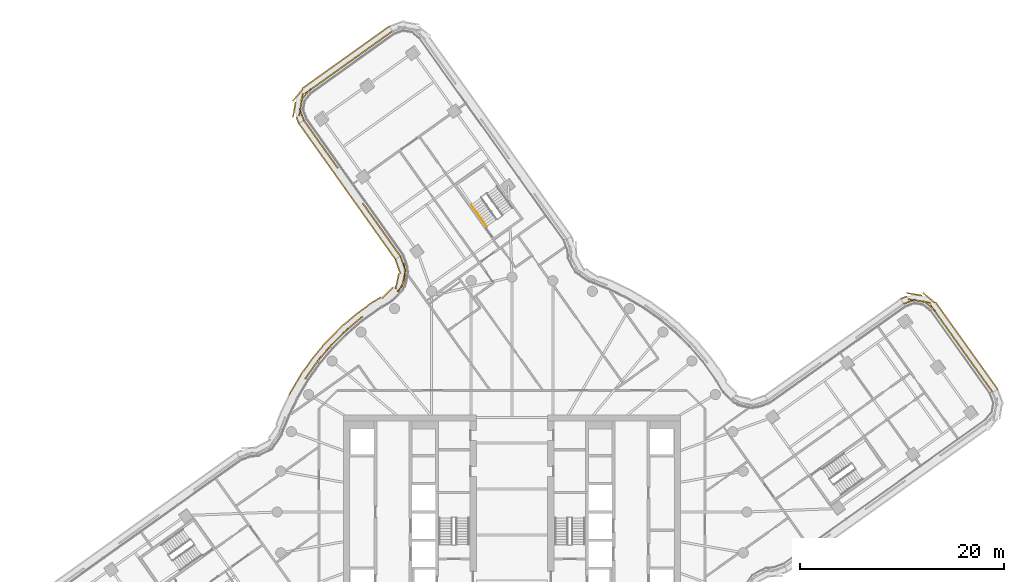
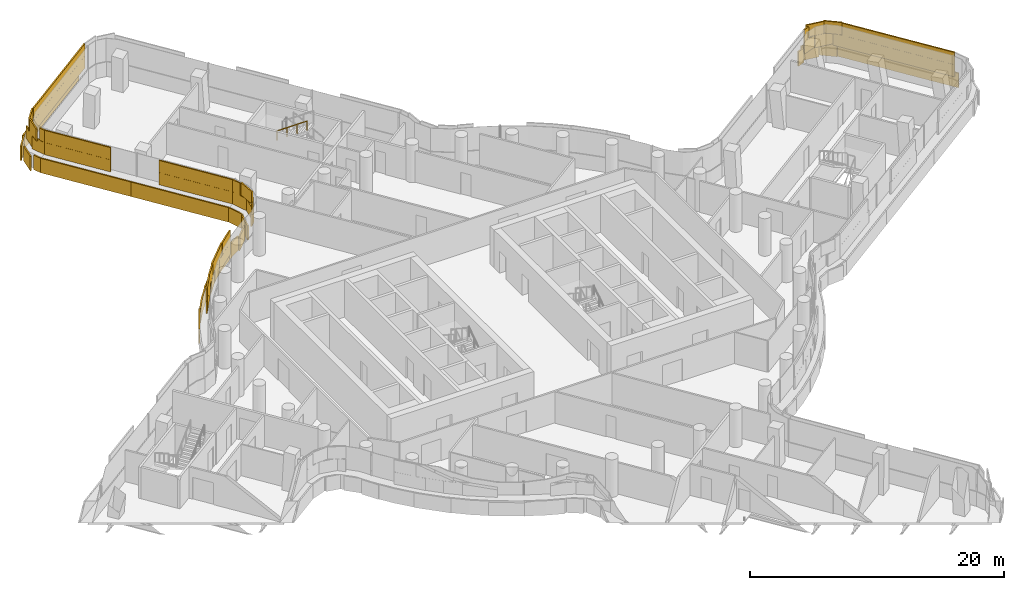
# One storey, part 30 of 31: 5 coverings, 1 railing.
"""IFC4 building model written with IfcOpenShell, lengths in metres."""

from ifc_helpers import new_model, si_unit, direction, frame, origin, origin_2d, place, context, subcontext, project, spatial, rectangle, circle, extrude, material, layer, layer_set, type_object, element, save


model = new_model("IFC4")

# Units and contexts
model_context = context("Model", 3, precision=1e-05, world=origin(), true_north=direction((0.0, 1.0)))
body_context = subcontext(model_context, "Body", "Model", "MODEL_VIEW")
ifc_project = project(units=[si_unit("LENGTHUNIT", "METRE"), si_unit("AREAUNIT", "SQUARE_METRE"), si_unit("VOLUMEUNIT", "CUBIC_METRE"), si_unit("PLANEANGLEUNIT", "RADIAN"), si_unit("MASSUNIT", "GRAM", prefix="KILO")], contexts=[model_context])

# Site, building, storey
site_placement = place(None, origin())
site = spatial("IfcSite", under=ifc_project, at=site_placement, CompositionType="ELEMENT")
building_placement = place(site_placement, origin())
building = spatial("IfcBuilding", under=site, at=building_placement, Name="Tamarind Cross Interchange Tower", CompositionType="ELEMENT")
storey_placement = place(building_placement, frame((0.0, 0.0, 163.0)))
storey = spatial("IfcBuildingStorey", under=building, at=storey_placement, Name="L40", CompositionType="ELEMENT", Elevation=163.0)

# Railing
ifc_material_1 = material(Name="Stair handrail")
railing_type = type_object("IfcRailingType", Name="Stair handrail", PredefinedType="HANDRAIL", material=ifc_material_1)
railing_placement = place(storey_placement, frame((-3.990966796875, 30.0859375, 2.04541015625)))
element("IfcRailing", 1, at=railing_placement, inside=storey, type_object=railing_type, Name="L40 ST4 stair handrail 2", PredefinedType="HANDRAIL", context=body_context, shape_type="SweptSolid", body=[
    extrude(circle(Radius=0.02392578125, at=origin_2d()), frame((0.0, 0.0, 0.8759765625), z_axis=(0.485880456641, -0.680641008196, 0.548313778612), x_axis=(0.813898411492, 0.581007208019, 0.0)), (0.0, 0.0, 1.0), 3.10888671875),
    extrude(circle(Radius=0.02099609375, at=origin_2d()), origin(), (0.0, 0.0, 1.0), 0.851806640625),
    extrude(circle(Radius=0.02099609375, at=origin_2d()), frame((0.50341796875, -0.705322265625, 0.568115234375)), (0.0, 0.0, 1.0), 0.851806640625),
    extrude(circle(Radius=0.02099609375, at=origin_2d()), frame((1.007080078125, -1.41064453125, 1.136474609375)), (0.0, 0.0, 1.0), 0.851806640625),
    extrude(circle(Radius=0.02099609375, at=origin_2d()), frame((1.510498046875, -2.115966796875, 1.70458984375)), (0.0, 0.0, 1.0), 0.851806640625),
])

# Coverings
ifc_material_2 = material(Name="Terracotta", Category="masonry")
ifc_layer = layer(ifc_material_2, 0.1201171875)
ifc_layer_set = layer_set([ifc_layer], Name="Terracotta")
covering_type = type_object("IfcCoveringType", Name="Terracotta baguette screen unit", PredefinedType="MOLDING", material=ifc_layer_set)
covering_1_placement = place(storey_placement, origin())
element("IfcCovering", 2, at=covering_1_placement, inside=storey, type_object=covering_type, Name="SCR-L40-04-00", PredefinedType="MOLDING", context=body_context, shape_type="SweptSolid", body=[
    extrude(rectangle(XDim=1.510009765625, YDim=0.1201171875, at=origin_2d()), frame((46.62744140625, 12.34521484375, 1.404052734375), z_axis=(0.0, 0.0, 1.0), x_axis=(-0.581032556811, 0.81388031548, 0.0)), (0.0, 0.0, 1.0), 1.1669921875),
    extrude(rectangle(XDim=1.52001953125, YDim=0.1201171875, at=origin_2d()), frame((45.755859375, 13.566162109375, 1.404052734375), z_axis=(0.0, 0.0, 1.0), x_axis=(-0.581032556811, 0.81388031548, 0.0)), (0.0, 0.0, 1.0), 1.1669921875),
    extrude(rectangle(XDim=1.52001953125, YDim=0.1201171875, at=origin_2d()), frame((44.884521484375, 14.786865234375, 1.404052734375), z_axis=(0.0, 0.0, 1.0), x_axis=(-0.581032556811, 0.81388031548, 0.0)), (0.0, 0.0, 1.0), 1.1669921875),
    extrude(rectangle(XDim=1.52001953125, YDim=0.1201171875, at=origin_2d()), frame((44.012939453125, 16.0078125, 1.404052734375), z_axis=(0.0, 0.0, 1.0), x_axis=(-0.581032556811, 0.81388031548, 0.0)), (0.0, 0.0, 1.0), 1.1669921875),
    extrude(rectangle(XDim=1.52001953125, YDim=0.1201171875, at=origin_2d()), frame((43.141357421875, 17.228515625, 1.404052734375), z_axis=(0.0, 0.0, 1.0), x_axis=(-0.581032556811, 0.81388031548, 0.0)), (0.0, 0.0, 1.0), 1.1669921875),
    extrude(rectangle(XDim=1.52001953125, YDim=0.1201171875, at=origin_2d()), frame((42.269775390625, 18.44921875, 1.404052734375), z_axis=(0.0, 0.0, 1.0), x_axis=(-0.581032556811, 0.81388031548, 0.0)), (0.0, 0.0, 1.0), 1.1669921875),
    extrude(rectangle(XDim=1.52001953125, YDim=0.1201171875, at=origin_2d()), frame((41.398193359375, 19.670166015625, 1.404052734375), z_axis=(0.0, 0.0, 1.0), x_axis=(-0.581032556811, 0.81388031548, 0.0)), (0.0, 0.0, 1.0), 1.1669921875),
    extrude(rectangle(XDim=1.52001953125, YDim=0.1201171875, at=origin_2d()), frame((40.25927734375, 20.599609375, 1.404052734375), z_axis=(0.0, 0.0, 1.0), x_axis=(-0.986352351161, 0.164648229139, 0.0)), (0.0, 0.0, 1.0), 1.1669921875),
    extrude(rectangle(XDim=1.259521484375, YDim=0.1201171875, at=origin_2d()), frame((38.925537109375, 20.595947265625, 1.404052734375), z_axis=(0.0, 0.0, 1.0), x_axis=(-0.936530307758, -0.350586626458, 0.0)), (0.0, 0.0, 1.0), 1.1669921875),
    extrude(rectangle(XDim=0.760009765625, YDim=0.1201171875, at=origin_2d()), frame((46.845458984375, 12.0400390625, 2.5791015625), z_axis=(0.0, 0.0, 1.0), x_axis=(-0.581032556811, 0.81388031548, 0.0)), (0.0, 0.0, 1.0), 1.1669921875),
    extrude(rectangle(XDim=1.52001953125, YDim=0.1201171875, at=origin_2d()), frame((46.191650390625, 12.95556640625, 2.5791015625), z_axis=(0.0, 0.0, 1.0), x_axis=(-0.581032556811, 0.81388031548, 0.0)), (0.0, 0.0, 1.0), 1.1669921875),
    extrude(rectangle(XDim=1.52001953125, YDim=0.1201171875, at=origin_2d()), frame((45.3203125, 14.176513671875, 2.5791015625), z_axis=(0.0, 0.0, 1.0), x_axis=(-0.581032556811, 0.81388031548, 0.0)), (0.0, 0.0, 1.0), 1.1669921875),
    extrude(rectangle(XDim=1.52001953125, YDim=0.1201171875, at=origin_2d()), frame((44.44873046875, 15.397216796875, 2.5791015625), z_axis=(0.0, 0.0, 1.0), x_axis=(-0.581032556811, 0.81388031548, 0.0)), (0.0, 0.0, 1.0), 1.1669921875),
    extrude(rectangle(XDim=1.52001953125, YDim=0.1201171875, at=origin_2d()), frame((43.5771484375, 16.6181640625, 2.5791015625), z_axis=(0.0, 0.0, 1.0), x_axis=(-0.581032556811, 0.81388031548, 0.0)), (0.0, 0.0, 1.0), 1.1669921875),
    extrude(rectangle(XDim=1.52001953125, YDim=0.1201171875, at=origin_2d()), frame((42.70556640625, 17.8388671875, 2.5791015625), z_axis=(0.0, 0.0, 1.0), x_axis=(-0.581032556811, 0.81388031548, 0.0)), (0.0, 0.0, 1.0), 1.1669921875),
    extrude(rectangle(XDim=1.52001953125, YDim=0.1201171875, at=origin_2d()), frame((41.833984375, 19.059814453125, 2.5791015625), z_axis=(0.0, 0.0, 1.0), x_axis=(-0.581032556811, 0.81388031548, 0.0)), (0.0, 0.0, 1.0), 1.1669921875),
    extrude(rectangle(XDim=1.52001953125, YDim=0.1201171875, at=origin_2d()), frame((40.87158203125, 20.19580078125, 2.5791015625), z_axis=(0.0, 0.0, 1.0), x_axis=(-0.771882078618, 0.635765724703, 0.0)), (0.0, 0.0, 1.0), 1.1669921875),
    extrude(rectangle(XDim=1.52001953125, YDim=0.1201171875, at=origin_2d()), frame((39.51953125, 20.722900390625, 2.5791015625), z_axis=(0.0, 0.0, 1.0), x_axis=(-0.986352351161, 0.164648229139, 0.0)), (0.0, 0.0, 1.0), 1.1669921875),
    extrude(rectangle(XDim=0.509521484375, YDim=0.1201171875, at=origin_2d()), frame((38.574462890625, 20.46435546875, 2.5791015625), z_axis=(0.0, 0.0, 1.0), x_axis=(-0.936530307758, -0.350586626458, 0.0)), (0.0, 0.0, 1.0), 1.1669921875),
    extrude(rectangle(XDim=1.510009765625, YDim=0.1201171875, at=origin_2d()), frame((47.1357421875, 12.621337890625, 0.00390625), z_axis=(0.0, 0.0, 1.0), x_axis=(-0.581032556811, 0.81388031548, 0.0)), (0.0, 0.0, 1.0), 1.39208984375),
    extrude(rectangle(XDim=1.52001953125, YDim=0.1201171875, at=origin_2d()), frame((46.26708984375, 13.838134765625, 0.00390625), z_axis=(0.0, 0.0, 1.0), x_axis=(-0.581032556811, 0.81388031548, 0.0)), (0.0, 0.0, 1.0), 1.39208984375),
    extrude(rectangle(XDim=1.52001953125, YDim=0.1201171875, at=origin_2d()), frame((45.3955078125, 15.058837890625, 0.00390625), z_axis=(0.0, 0.0, 1.0), x_axis=(-0.581032556811, 0.81388031548, 0.0)), (0.0, 0.0, 1.0), 1.39208984375),
    extrude(rectangle(XDim=1.52001953125, YDim=0.1201171875, at=origin_2d()), frame((44.52392578125, 16.27978515625, 0.00390625), z_axis=(0.0, 0.0, 1.0), x_axis=(-0.581032556811, 0.81388031548, 0.0)), (0.0, 0.0, 1.0), 1.39208984375),
    extrude(rectangle(XDim=1.52001953125, YDim=0.1201171875, at=origin_2d()), frame((43.65234375, 17.50048828125, 0.00390625), z_axis=(0.0, 0.0, 1.0), x_axis=(-0.581032556811, 0.81388031548, 0.0)), (0.0, 0.0, 1.0), 1.39208984375),
    extrude(rectangle(XDim=1.52001953125, YDim=0.1201171875, at=origin_2d()), frame((42.78076171875, 18.721435546875, 0.00390625), z_axis=(0.0, 0.0, 1.0), x_axis=(-0.581032556811, 0.81388031548, 0.0)), (0.0, 0.0, 1.0), 1.39208984375),
    extrude(rectangle(XDim=1.52001953125, YDim=0.1201171875, at=origin_2d()), frame((41.909423828125, 19.942138671875, 0.00390625), z_axis=(0.0, 0.0, 1.0), x_axis=(-0.581032556811, 0.81388031548, 0.0)), (0.0, 0.0, 1.0), 1.39208984375),
    extrude(rectangle(XDim=1.52001953125, YDim=0.1201171875, at=origin_2d()), frame((40.83251953125, 20.971435546875, 0.00390625), z_axis=(0.0, 0.0, 1.0), x_axis=(-0.771882078618, 0.635765724703, 0.0)), (0.0, 0.0, 1.0), 1.39208984375),
    extrude(rectangle(XDim=1.52001953125, YDim=0.1201171875, at=origin_2d()), frame((39.4013671875, 21.32470703125, 0.00390625), z_axis=(0.0, 0.0, 1.0), x_axis=(-0.986352351161, 0.164648229139, 0.0)), (0.0, 0.0, 1.0), 1.39208984375),
    extrude(rectangle(XDim=0.676513671875, YDim=0.1201171875, at=origin_2d()), frame((38.3857421875, 21.0068359375, 0.00390625), z_axis=(0.0, 0.0, 1.0), x_axis=(-0.936530307758, -0.350586626458, 0.0)), (0.0, 0.0, 1.0), 1.39208984375),
])
covering_2_placement = place(storey_placement, origin())
element("IfcCovering", 3, at=covering_2_placement, inside=storey, type_object=covering_type, Name="SCR-L40-08-00", PredefinedType="MOLDING", context=body_context, shape_type="SweptSolid", body=[
    extrude(rectangle(XDim=1.510009765625, YDim=0.1201171875, at=origin_2d()), frame((-12.34521484375, 46.62744140625, 1.404052734375), z_axis=(0.0, 0.0, 1.0), x_axis=(-0.81388031548, -0.581032556811, 0.0)), (0.0, 0.0, 1.0), 1.1669921875),
    extrude(rectangle(XDim=1.52001953125, YDim=0.1201171875, at=origin_2d()), frame((-13.566162109375, 45.755859375, 1.404052734375), z_axis=(0.0, 0.0, 1.0), x_axis=(-0.81388031548, -0.581032556811, 0.0)), (0.0, 0.0, 1.0), 1.1669921875),
    extrude(rectangle(XDim=1.52001953125, YDim=0.1201171875, at=origin_2d()), frame((-14.786865234375, 44.884521484375, 1.404052734375), z_axis=(0.0, 0.0, 1.0), x_axis=(-0.81388031548, -0.581032556811, 0.0)), (0.0, 0.0, 1.0), 1.1669921875),
    extrude(rectangle(XDim=1.52001953125, YDim=0.1201171875, at=origin_2d()), frame((-16.0078125, 44.012939453125, 1.404052734375), z_axis=(0.0, 0.0, 1.0), x_axis=(-0.81388031548, -0.581032556811, 0.0)), (0.0, 0.0, 1.0), 1.1669921875),
    extrude(rectangle(XDim=1.52001953125, YDim=0.1201171875, at=origin_2d()), frame((-17.228515625, 43.141357421875, 1.404052734375), z_axis=(0.0, 0.0, 1.0), x_axis=(-0.81388031548, -0.581032556811, 0.0)), (0.0, 0.0, 1.0), 1.1669921875),
    extrude(rectangle(XDim=1.52001953125, YDim=0.1201171875, at=origin_2d()), frame((-18.44921875, 42.269775390625, 1.404052734375), z_axis=(0.0, 0.0, 1.0), x_axis=(-0.81388031548, -0.581032556811, 0.0)), (0.0, 0.0, 1.0), 1.1669921875),
    extrude(rectangle(XDim=1.52001953125, YDim=0.1201171875, at=origin_2d()), frame((-19.670166015625, 41.398193359375, 1.404052734375), z_axis=(0.0, 0.0, 1.0), x_axis=(-0.81388031548, -0.581032556811, 0.0)), (0.0, 0.0, 1.0), 1.1669921875),
    extrude(rectangle(XDim=1.52001953125, YDim=0.1201171875, at=origin_2d()), frame((-20.599609375, 40.25927734375, 1.404052734375), z_axis=(0.0, 0.0, 1.0), x_axis=(-0.164648229139, -0.986352351161, 0.0)), (0.0, 0.0, 1.0), 1.1669921875),
    extrude(rectangle(XDim=1.259521484375, YDim=0.1201171875, at=origin_2d()), frame((-20.595947265625, 38.925537109375, 1.404052734375), z_axis=(0.0, 0.0, 1.0), x_axis=(0.350586626458, -0.936530307758, 0.0)), (0.0, 0.0, 1.0), 1.1669921875),
    extrude(rectangle(XDim=0.760009765625, YDim=0.1201171875, at=origin_2d()), frame((-12.0400390625, 46.845458984375, 2.5791015625), z_axis=(0.0, 0.0, 1.0), x_axis=(-0.81388031548, -0.581032556811, 0.0)), (0.0, 0.0, 1.0), 1.1669921875),
    extrude(rectangle(XDim=1.52001953125, YDim=0.1201171875, at=origin_2d()), frame((-12.95556640625, 46.191650390625, 2.5791015625), z_axis=(0.0, 0.0, 1.0), x_axis=(-0.81388031548, -0.581032556811, 0.0)), (0.0, 0.0, 1.0), 1.1669921875),
    extrude(rectangle(XDim=1.52001953125, YDim=0.1201171875, at=origin_2d()), frame((-14.176513671875, 45.3203125, 2.5791015625), z_axis=(0.0, 0.0, 1.0), x_axis=(-0.81388031548, -0.581032556811, 0.0)), (0.0, 0.0, 1.0), 1.1669921875),
    extrude(rectangle(XDim=1.52001953125, YDim=0.1201171875, at=origin_2d()), frame((-15.397216796875, 44.44873046875, 2.5791015625), z_axis=(0.0, 0.0, 1.0), x_axis=(-0.81388031548, -0.581032556811, 0.0)), (0.0, 0.0, 1.0), 1.1669921875),
    extrude(rectangle(XDim=1.52001953125, YDim=0.1201171875, at=origin_2d()), frame((-16.6181640625, 43.5771484375, 2.5791015625), z_axis=(0.0, 0.0, 1.0), x_axis=(-0.81388031548, -0.581032556811, 0.0)), (0.0, 0.0, 1.0), 1.1669921875),
    extrude(rectangle(XDim=1.52001953125, YDim=0.1201171875, at=origin_2d()), frame((-17.8388671875, 42.70556640625, 2.5791015625), z_axis=(0.0, 0.0, 1.0), x_axis=(-0.81388031548, -0.581032556811, 0.0)), (0.0, 0.0, 1.0), 1.1669921875),
    extrude(rectangle(XDim=1.52001953125, YDim=0.1201171875, at=origin_2d()), frame((-19.059814453125, 41.833984375, 2.5791015625), z_axis=(0.0, 0.0, 1.0), x_axis=(-0.81388031548, -0.581032556811, 0.0)), (0.0, 0.0, 1.0), 1.1669921875),
    extrude(rectangle(XDim=1.52001953125, YDim=0.1201171875, at=origin_2d()), frame((-20.19580078125, 40.87158203125, 2.5791015625), z_axis=(0.0, 0.0, 1.0), x_axis=(-0.635765724703, -0.771882078618, 0.0)), (0.0, 0.0, 1.0), 1.1669921875),
    extrude(rectangle(XDim=1.52001953125, YDim=0.1201171875, at=origin_2d()), frame((-20.722900390625, 39.51953125, 2.5791015625), z_axis=(0.0, 0.0, 1.0), x_axis=(-0.164648229139, -0.986352351161, 0.0)), (0.0, 0.0, 1.0), 1.1669921875),
    extrude(rectangle(XDim=0.509521484375, YDim=0.1201171875, at=origin_2d()), frame((-20.46435546875, 38.574462890625, 2.5791015625), z_axis=(0.0, 0.0, 1.0), x_axis=(0.350586626458, -0.936530307758, 0.0)), (0.0, 0.0, 1.0), 1.1669921875),
    extrude(rectangle(XDim=1.510009765625, YDim=0.1201171875, at=origin_2d()), frame((-12.621337890625, 47.1357421875, 0.00390625), z_axis=(0.0, 0.0, 1.0), x_axis=(-0.81388031548, -0.581032556811, 0.0)), (0.0, 0.0, 1.0), 1.39208984375),
    extrude(rectangle(XDim=1.52001953125, YDim=0.1201171875, at=origin_2d()), frame((-13.838134765625, 46.26708984375, 0.00390625), z_axis=(0.0, 0.0, 1.0), x_axis=(-0.81388031548, -0.581032556811, 0.0)), (0.0, 0.0, 1.0), 1.39208984375),
    extrude(rectangle(XDim=1.52001953125, YDim=0.1201171875, at=origin_2d()), frame((-15.058837890625, 45.3955078125, 0.00390625), z_axis=(0.0, 0.0, 1.0), x_axis=(-0.81388031548, -0.581032556811, 0.0)), (0.0, 0.0, 1.0), 1.39208984375),
    extrude(rectangle(XDim=1.52001953125, YDim=0.1201171875, at=origin_2d()), frame((-16.27978515625, 44.52392578125, 0.00390625), z_axis=(0.0, 0.0, 1.0), x_axis=(-0.81388031548, -0.581032556811, 0.0)), (0.0, 0.0, 1.0), 1.39208984375),
    extrude(rectangle(XDim=1.52001953125, YDim=0.1201171875, at=origin_2d()), frame((-17.50048828125, 43.65234375, 0.00390625), z_axis=(0.0, 0.0, 1.0), x_axis=(-0.81388031548, -0.581032556811, 0.0)), (0.0, 0.0, 1.0), 1.39208984375),
    extrude(rectangle(XDim=1.52001953125, YDim=0.1201171875, at=origin_2d()), frame((-18.721435546875, 42.78076171875, 0.00390625), z_axis=(0.0, 0.0, 1.0), x_axis=(-0.81388031548, -0.581032556811, 0.0)), (0.0, 0.0, 1.0), 1.39208984375),
    extrude(rectangle(XDim=1.52001953125, YDim=0.1201171875, at=origin_2d()), frame((-19.942138671875, 41.909423828125, 0.00390625), z_axis=(0.0, 0.0, 1.0), x_axis=(-0.81388031548, -0.581032556811, 0.0)), (0.0, 0.0, 1.0), 1.39208984375),
    extrude(rectangle(XDim=1.52001953125, YDim=0.1201171875, at=origin_2d()), frame((-20.971435546875, 40.83251953125, 0.00390625), z_axis=(0.0, 0.0, 1.0), x_axis=(-0.635765724703, -0.771882078618, 0.0)), (0.0, 0.0, 1.0), 1.39208984375),
    extrude(rectangle(XDim=1.52001953125, YDim=0.1201171875, at=origin_2d()), frame((-21.32470703125, 39.4013671875, 0.00390625), z_axis=(0.0, 0.0, 1.0), x_axis=(-0.164648229139, -0.986352351161, 0.0)), (0.0, 0.0, 1.0), 1.39208984375),
    extrude(rectangle(XDim=0.676513671875, YDim=0.1201171875, at=origin_2d()), frame((-21.0068359375, 38.3857421875, 0.00390625), z_axis=(0.0, 0.0, 1.0), x_axis=(0.350586626458, -0.936530307758, 0.0)), (0.0, 0.0, 1.0), 1.39208984375),
])
covering_3_placement = place(storey_placement, origin())
element("IfcCovering", 4, at=covering_3_placement, inside=storey, type_object=covering_type, Name="SCR-L40-09-00", PredefinedType="MOLDING", context=body_context, shape_type="SweptSolid", body=[
    extrude(rectangle(XDim=1.510009765625, YDim=0.1201171875, at=origin_2d()), frame((-19.9423828125, 37.72900390625, 1.404052734375), z_axis=(0.0, 0.0, 1.0), x_axis=(0.579158818828, -0.815214734027, 0.0)), (0.0, 0.0, 1.0), 1.1669921875),
    extrude(rectangle(XDim=1.52001953125, YDim=0.1201171875, at=origin_2d()), frame((-19.07373046875, 36.50634765625, 1.404052734375), z_axis=(0.0, 0.0, 1.0), x_axis=(0.579158818828, -0.815214734027, 0.0)), (0.0, 0.0, 1.0), 1.1669921875),
    extrude(rectangle(XDim=1.52001953125, YDim=0.1201171875, at=origin_2d()), frame((-18.205078125, 35.283447265625, 1.404052734375), z_axis=(0.0, 0.0, 1.0), x_axis=(0.579158818828, -0.815214734027, 0.0)), (0.0, 0.0, 1.0), 1.1669921875),
    extrude(rectangle(XDim=1.236572265625, YDim=0.1201171875, at=origin_2d()), frame((-17.41552734375, 34.172119140625, 1.404052734375), z_axis=(0.0, 0.0, 1.0), x_axis=(0.579158818828, -0.815214734027, 0.0)), (0.0, 0.0, 1.0), 1.1669921875),
    extrude(rectangle(XDim=0.760009765625, YDim=0.1201171875, at=origin_2d()), frame((-20.15966796875, 38.03466796875, 2.5791015625), z_axis=(0.0, 0.0, 1.0), x_axis=(0.579158818828, -0.815214734027, 0.0)), (0.0, 0.0, 1.0), 1.1669921875),
    extrude(rectangle(XDim=1.52001953125, YDim=0.1201171875, at=origin_2d()), frame((-19.508056640625, 37.11767578125, 2.5791015625), z_axis=(0.0, 0.0, 1.0), x_axis=(0.579158818828, -0.815214734027, 0.0)), (0.0, 0.0, 1.0), 1.1669921875),
    extrude(rectangle(XDim=1.52001953125, YDim=0.1201171875, at=origin_2d()), frame((-18.639404296875, 35.894775390625, 2.5791015625), z_axis=(0.0, 0.0, 1.0), x_axis=(0.579158818828, -0.815214734027, 0.0)), (0.0, 0.0, 1.0), 1.1669921875),
    extrude(rectangle(XDim=1.52001953125, YDim=0.1201171875, at=origin_2d()), frame((-17.7705078125, 34.671875, 2.5791015625), z_axis=(0.0, 0.0, 1.0), x_axis=(0.579158818828, -0.815214734027, 0.0)), (0.0, 0.0, 1.0), 1.1669921875),
    extrude(rectangle(XDim=0.486572265625, YDim=0.1201171875, at=origin_2d()), frame((-17.1982421875, 33.866455078125, 2.5791015625), z_axis=(0.0, 0.0, 1.0), x_axis=(0.579158818828, -0.815214734027, 0.0)), (0.0, 0.0, 1.0), 1.1669921875),
    extrude(rectangle(XDim=1.510009765625, YDim=0.1201171875, at=origin_2d()), frame((-20.450927734375, 37.45361328125, 0.00390625), z_axis=(0.0, 0.0, 1.0), x_axis=(0.579158818828, -0.815214734027, 0.0)), (0.0, 0.0, 1.0), 1.39208984375),
    extrude(rectangle(XDim=1.52001953125, YDim=0.1201171875, at=origin_2d()), frame((-19.5849609375, 36.23486328125, 0.00390625), z_axis=(0.0, 0.0, 1.0), x_axis=(0.579158818828, -0.815214734027, 0.0)), (0.0, 0.0, 1.0), 1.39208984375),
    extrude(rectangle(XDim=1.52001953125, YDim=0.1201171875, at=origin_2d()), frame((-18.71630859375, 35.011962890625, 0.00390625), z_axis=(0.0, 0.0, 1.0), x_axis=(0.579158818828, -0.815214734027, 0.0)), (0.0, 0.0, 1.0), 1.39208984375),
    extrude(rectangle(XDim=1.52001953125, YDim=0.1201171875, at=origin_2d()), frame((-17.84765625, 33.789306640625, 0.00390625), z_axis=(0.0, 0.0, 1.0), x_axis=(0.579158818828, -0.815214734027, 0.0)), (0.0, 0.0, 1.0), 1.39208984375),
    extrude(rectangle(XDim=1.52001953125, YDim=0.1201171875, at=origin_2d()), frame((-16.978759765625, 32.56640625, 0.00390625), z_axis=(0.0, 0.0, 1.0), x_axis=(0.579158818828, -0.815214734027, 0.0)), (0.0, 0.0, 1.0), 1.39208984375),
    extrude(rectangle(XDim=0.33447265625, YDim=0.1201171875, at=origin_2d()), frame((-16.453369140625, 31.82666015625, 0.00390625), z_axis=(0.0, 0.0, 1.0), x_axis=(0.579158818828, -0.815214734027, 0.0)), (0.0, 0.0, 1.0), 1.39208984375),
])
covering_4_placement = place(storey_placement, origin())
element("IfcCovering", 5, at=covering_4_placement, inside=storey, type_object=covering_type, Name="SCR-L40-09-01", PredefinedType="MOLDING", context=body_context, shape_type="SweptSolid", body=[
    extrude(rectangle(XDim=0.58349609375, YDim=0.1201171875, at=origin_2d()), frame((-14.461669921875, 30.014404296875, 1.404052734375), z_axis=(0.0, 0.0, 1.0), x_axis=(0.579158818828, -0.815214734027, 0.0)), (0.0, 0.0, 1.0), 1.1669921875),
    extrude(rectangle(XDim=1.52001953125, YDim=0.1201171875, at=origin_2d()), frame((-13.861328125, 29.169189453125, 1.404052734375), z_axis=(0.0, 0.0, 1.0), x_axis=(0.579158818828, -0.815214734027, 0.0)), (0.0, 0.0, 1.0), 1.1669921875),
    extrude(rectangle(XDim=1.52001953125, YDim=0.1201171875, at=origin_2d()), frame((-12.99267578125, 27.946533203125, 1.404052734375), z_axis=(0.0, 0.0, 1.0), x_axis=(0.579158818828, -0.815214734027, 0.0)), (0.0, 0.0, 1.0), 1.1669921875),
    extrude(rectangle(XDim=1.52001953125, YDim=0.1201171875, at=origin_2d()), frame((-12.123779296875, 26.7236328125, 1.404052734375), z_axis=(0.0, 0.0, 1.0), x_axis=(0.579158818828, -0.815214734027, 0.0)), (0.0, 0.0, 1.0), 1.1669921875),
    extrude(rectangle(XDim=1.3330078125, YDim=0.1201171875, at=origin_2d()), frame((-11.306396484375, 25.572998046875, 1.404052734375), z_axis=(0.0, 0.0, 1.0), x_axis=(0.579158818828, -0.815214734027, 0.0)), (0.0, 0.0, 1.0), 1.1669921875),
    extrude(rectangle(XDim=1.33349609375, YDim=0.1201171875, at=origin_2d()), frame((-14.24462890625, 29.708740234375, 2.5791015625), z_axis=(0.0, 0.0, 1.0), x_axis=(0.579158818828, -0.815214734027, 0.0)), (0.0, 0.0, 1.0), 1.1669921875),
    extrude(rectangle(XDim=1.52001953125, YDim=0.1201171875, at=origin_2d()), frame((-13.427001953125, 28.557861328125, 2.5791015625), z_axis=(0.0, 0.0, 1.0), x_axis=(0.579158818828, -0.815214734027, 0.0)), (0.0, 0.0, 1.0), 1.1669921875),
    extrude(rectangle(XDim=1.52001953125, YDim=0.1201171875, at=origin_2d()), frame((-12.55810546875, 27.3349609375, 2.5791015625), z_axis=(0.0, 0.0, 1.0), x_axis=(0.579158818828, -0.815214734027, 0.0)), (0.0, 0.0, 1.0), 1.1669921875),
    extrude(rectangle(XDim=1.52001953125, YDim=0.1201171875, at=origin_2d()), frame((-11.689453125, 26.1123046875, 2.5791015625), z_axis=(0.0, 0.0, 1.0), x_axis=(0.579158818828, -0.815214734027, 0.0)), (0.0, 0.0, 1.0), 1.1669921875),
    extrude(rectangle(XDim=0.5830078125, YDim=0.1201171875, at=origin_2d()), frame((-11.089111328125, 25.267333984375, 2.5791015625), z_axis=(0.0, 0.0, 1.0), x_axis=(0.579158818828, -0.815214734027, 0.0)), (0.0, 0.0, 1.0), 1.1669921875),
    extrude(rectangle(XDim=1.185546875, YDim=0.1201171875, at=origin_2d()), frame((-16.01318359375, 31.207275390625, 0.00390625), z_axis=(0.0, 0.0, 1.0), x_axis=(0.579158818828, -0.815214734027, 0.0)), (0.0, 0.0, 1.0), 1.39208984375),
    extrude(rectangle(XDim=1.52001953125, YDim=0.1201171875, at=origin_2d()), frame((-15.241455078125, 30.120849609375, 0.00390625), z_axis=(0.0, 0.0, 1.0), x_axis=(0.579158818828, -0.815214734027, 0.0)), (0.0, 0.0, 1.0), 1.39208984375),
    extrude(rectangle(XDim=1.52001953125, YDim=0.1201171875, at=origin_2d()), frame((-14.37255859375, 28.89794921875, 0.00390625), z_axis=(0.0, 0.0, 1.0), x_axis=(0.579158818828, -0.815214734027, 0.0)), (0.0, 0.0, 1.0), 1.39208984375),
    extrude(rectangle(XDim=1.52001953125, YDim=0.1201171875, at=origin_2d()), frame((-13.50390625, 27.675048828125, 0.00390625), z_axis=(0.0, 0.0, 1.0), x_axis=(0.579158818828, -0.815214734027, 0.0)), (0.0, 0.0, 1.0), 1.39208984375),
    extrude(rectangle(XDim=1.52001953125, YDim=0.1201171875, at=origin_2d()), frame((-12.63525390625, 26.452392578125, 0.00390625), z_axis=(0.0, 0.0, 1.0), x_axis=(0.579158818828, -0.815214734027, 0.0)), (0.0, 0.0, 1.0), 1.39208984375),
    extrude(rectangle(XDim=1.3291015625, YDim=0.1201171875, at=origin_2d()), frame((-11.82177734375, 25.307373046875, 0.00390625), z_axis=(0.0, 0.0, 1.0), x_axis=(0.579158818828, -0.815214734027, 0.0)), (0.0, 0.0, 1.0), 1.39208984375),
])
covering_5_placement = place(storey_placement, origin())
element("IfcCovering", 6, at=covering_5_placement, inside=storey, type_object=covering_type, Name="SCR-L40-10-00", PredefinedType="MOLDING", context=body_context, shape_type="SweptSolid", body=[
    extrude(rectangle(XDim=1.510009765625, YDim=0.1201171875, at=origin_2d()), frame((-10.669921875, 24.32763671875, 1.404052734375), z_axis=(0.0, 0.0, 1.0), x_axis=(0.337657913915, -0.941268895253, 0.0)), (0.0, 0.0, 1.0), 1.1669921875),
    extrude(rectangle(XDim=1.52001953125, YDim=0.1201171875, at=origin_2d()), frame((-10.59814453125, 22.86669921875, 1.404052734375), z_axis=(0.0, 0.0, 1.0), x_axis=(-0.205241953817, -0.978711265079, 0.0)), (0.0, 0.0, 1.0), 1.1669921875),
    extrude(rectangle(XDim=0.699462890625, YDim=0.1201171875, at=origin_2d()), frame((-10.995849609375, 21.86474609375, 1.404052734375), z_axis=(0.0, 0.0, 1.0), x_axis=(-0.705464657809, -0.708745099865, 0.0)), (0.0, 0.0, 1.0), 1.1669921875),
    extrude(rectangle(XDim=1.120361328125, YDim=0.1201171875, at=origin_2d()), frame((-15.043701171875, 18.7998046875, 1.404052734375), z_axis=(0.0, 0.0, 1.0), x_axis=(-0.760295606781, -0.64957723968, 0.0)), (0.0, 0.0, 1.0), 1.1669921875),
    extrude(rectangle(XDim=1.52001953125, YDim=0.1201171875, at=origin_2d()), frame((-16.0361328125, 17.951904296875, 1.404052734375), z_axis=(0.0, 0.0, 1.0), x_axis=(-0.760295606781, -0.64957723968, 0.0)), (0.0, 0.0, 1.0), 1.1669921875),
    extrude(rectangle(XDim=1.52001953125, YDim=0.1201171875, at=origin_2d()), frame((-17.1181640625, 16.914794921875, 1.404052734375), z_axis=(0.0, 0.0, 1.0), x_axis=(-0.704057148523, -0.710143317658, 0.0)), (0.0, 0.0, 1.0), 1.1669921875),
    extrude(rectangle(XDim=1.52001953125, YDim=0.1201171875, at=origin_2d()), frame((-18.14111328125, 15.8193359375, 1.404052734375), z_axis=(0.0, 0.0, 1.0), x_axis=(-0.643009266048, -0.765858396687, 0.0)), (0.0, 0.0, 1.0), 1.1669921875),
    extrude(rectangle(XDim=1.52001953125, YDim=0.1201171875, at=origin_2d()), frame((-19.10205078125, 14.667724609375, 1.404052734375), z_axis=(0.0, 0.0, 1.0), x_axis=(-0.577568978284, -0.816341886298, 0.0)), (0.0, 0.0, 1.0), 1.1669921875),
    extrude(rectangle(XDim=1.267822265625, YDim=0.1201171875, at=origin_2d()), frame((-19.8984375, 13.542236328125, 1.404052734375), z_axis=(0.0, 0.0, 1.0), x_axis=(-0.577568978284, -0.816341886298, 0.0)), (0.0, 0.0, 1.0), 1.1669921875),
    extrude(rectangle(XDim=0.760009765625, YDim=0.1201171875, at=origin_2d()), frame((-10.796630859375, 24.6806640625, 2.5791015625), z_axis=(0.0, 0.0, 1.0), x_axis=(0.337657913915, -0.941268895253, 0.0)), (0.0, 0.0, 1.0), 1.1669921875),
    extrude(rectangle(XDim=1.52001953125, YDim=0.1201171875, at=origin_2d()), frame((-10.49951171875, 23.6044921875, 2.5791015625), z_axis=(0.0, 0.0, 1.0), x_axis=(0.06880391985, -0.997630202336, 0.0)), (0.0, 0.0, 1.0), 1.1669921875),
    extrude(rectangle(XDim=1.449462890625, YDim=0.1201171875, at=origin_2d()), frame((-10.8017578125, 22.18212890625, 2.5791015625), z_axis=(0.0, 0.0, 1.0), x_axis=(-0.463800461127, -0.885939688838, 0.0)), (0.0, 0.0, 1.0), 1.1669921875),
    extrude(rectangle(XDim=0.370361328125, YDim=0.1201171875, at=origin_2d()), frame((-14.750732421875, 19.033447265625, 2.5791015625), z_axis=(0.0, 0.0, 1.0), x_axis=(-0.811340475102, -0.584573890505, 0.0)), (0.0, 0.0, 1.0), 1.1669921875),
    extrude(rectangle(XDim=1.52001953125, YDim=0.1201171875, at=origin_2d()), frame((-15.4658203125, 18.439208984375, 2.5791015625), z_axis=(0.0, 0.0, 1.0), x_axis=(-0.760295606781, -0.64957723968, 0.0)), (0.0, 0.0, 1.0), 1.1669921875),
    extrude(rectangle(XDim=1.52001953125, YDim=0.1201171875, at=origin_2d()), frame((-16.590087890625, 17.447509765625, 2.5791015625), z_axis=(0.0, 0.0, 1.0), x_axis=(-0.704057148523, -0.710143317658, 0.0)), (0.0, 0.0, 1.0), 1.1669921875),
    extrude(rectangle(XDim=1.52001953125, YDim=0.1201171875, at=origin_2d()), frame((-17.646240234375, 16.38232421875, 2.5791015625), z_axis=(0.0, 0.0, 1.0), x_axis=(-0.704057148523, -0.710143317658, 0.0)), (0.0, 0.0, 1.0), 1.1669921875),
    extrude(rectangle(XDim=1.52001953125, YDim=0.1201171875, at=origin_2d()), frame((-18.623291015625, 15.244873046875, 2.5791015625), z_axis=(0.0, 0.0, 1.0), x_axis=(-0.643009266048, -0.765858396687, 0.0)), (0.0, 0.0, 1.0), 1.1669921875),
    extrude(rectangle(XDim=1.52001953125, YDim=0.1201171875, at=origin_2d()), frame((-19.53515625, 14.0556640625, 2.5791015625), z_axis=(0.0, 0.0, 1.0), x_axis=(-0.577568978284, -0.816341886298, 0.0)), (0.0, 0.0, 1.0), 1.1669921875),
    extrude(rectangle(XDim=0.517822265625, YDim=0.1201171875, at=origin_2d()), frame((-20.114990234375, 13.236083984375, 2.5791015625), z_axis=(0.0, 0.0, 1.0), x_axis=(-0.577568978284, -0.816341886298, 0.0)), (0.0, 0.0, 1.0), 1.1669921875),
    extrude(rectangle(XDim=1.510009765625, YDim=0.1201171875, at=origin_2d()), frame((-11.181884765625, 24.054931640625, 0.00390625), z_axis=(0.0, 0.0, 1.0), x_axis=(0.337657913915, -0.941268895253, 0.0)), (0.0, 0.0, 1.0), 1.39208984375),
    extrude(rectangle(XDim=1.52001953125, YDim=0.1201171875, at=origin_2d()), frame((-11.241455078125, 22.595703125, 0.00390625), z_axis=(0.0, 0.0, 1.0), x_axis=(-0.205241953817, -0.978711265079, 0.0)), (0.0, 0.0, 1.0), 1.39208984375),
    extrude(rectangle(XDim=1.52001953125, YDim=0.1201171875, at=origin_2d()), frame((-12.203857421875, 21.464599609375, 0.00390625), z_axis=(0.0, 0.0, 1.0), x_axis=(-0.705464657809, -0.708745099865, 0.0)), (0.0, 0.0, 1.0), 1.39208984375),
    extrude(rectangle(XDim=1.52001953125, YDim=0.1201171875, at=origin_2d()), frame((-13.461669921875, 20.656005859375, 0.00390625), z_axis=(0.0, 0.0, 1.0), x_axis=(-0.856156410424, -0.516716751122, 0.0)), (0.0, 0.0, 1.0), 1.39208984375),
    extrude(rectangle(XDim=1.52001953125, YDim=0.1201171875, at=origin_2d()), frame((-14.684814453125, 19.788330078125, 0.00390625), z_axis=(0.0, 0.0, 1.0), x_axis=(-0.811340475102, -0.584573890505, 0.0)), (0.0, 0.0, 1.0), 1.39208984375),
    extrude(rectangle(XDim=1.52001953125, YDim=0.1201171875, at=origin_2d()), frame((-15.859619140625, 18.857666015625, 0.00390625), z_axis=(0.0, 0.0, 1.0), x_axis=(-0.760295606781, -0.64957723968, 0.0)), (0.0, 0.0, 1.0), 1.39208984375),
    extrude(rectangle(XDim=1.52001953125, YDim=0.1201171875, at=origin_2d()), frame((-16.983642578125, 17.865966796875, 0.00390625), z_axis=(0.0, 0.0, 1.0), x_axis=(-0.704057148523, -0.710143317658, 0.0)), (0.0, 0.0, 1.0), 1.39208984375),
    extrude(rectangle(XDim=1.52001953125, YDim=0.1201171875, at=origin_2d()), frame((-18.039794921875, 16.80078125, 0.00390625), z_axis=(0.0, 0.0, 1.0), x_axis=(-0.704057148523, -0.710143317658, 0.0)), (0.0, 0.0, 1.0), 1.39208984375),
    extrude(rectangle(XDim=1.52001953125, YDim=0.1201171875, at=origin_2d()), frame((-19.01953125, 15.665771484375, 0.00390625), z_axis=(0.0, 0.0, 1.0), x_axis=(-0.643009266048, -0.765858396687, 0.0)), (0.0, 0.0, 1.0), 1.39208984375),
    extrude(rectangle(XDim=1.52001953125, YDim=0.1201171875, at=origin_2d()), frame((-19.937255859375, 14.48095703125, 0.00390625), z_axis=(0.0, 0.0, 1.0), x_axis=(-0.577568978284, -0.816341886298, 0.0)), (0.0, 0.0, 1.0), 1.39208984375),
    extrude(rectangle(XDim=1.52001953125, YDim=0.1201171875, at=origin_2d()), frame((-20.79150390625, 13.24853515625, 0.00390625), z_axis=(0.0, 0.0, 1.0), x_axis=(-0.508183308752, -0.861248933065, 0.0)), (0.0, 0.0, 1.0), 1.39208984375),
    extrude(rectangle(XDim=1.30810546875, YDim=0.1201171875, at=origin_2d()), frame((-21.5, 12.0478515625, 0.00390625), z_axis=(0.0, 0.0, 1.0), x_axis=(-0.508183308752, -0.861248933065, 0.0)), (0.0, 0.0, 1.0), 1.39208984375),
])

save(model, "model.ifc")
